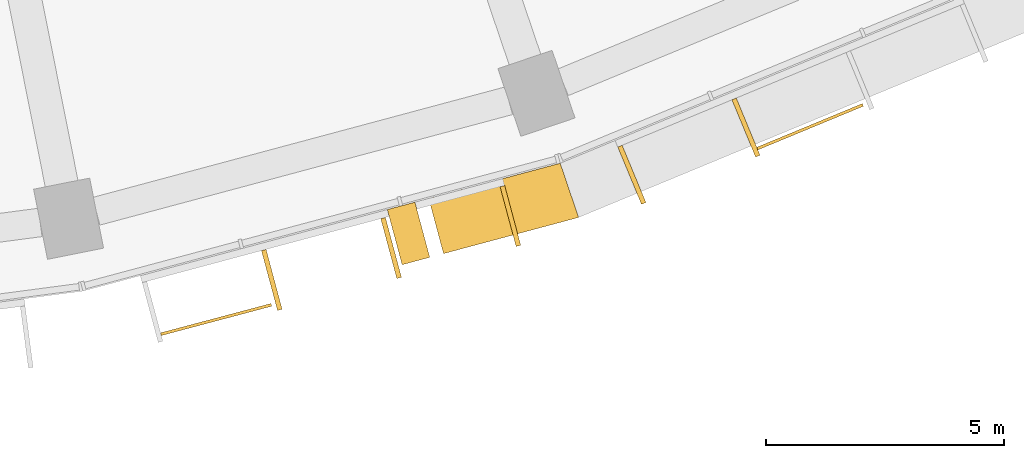
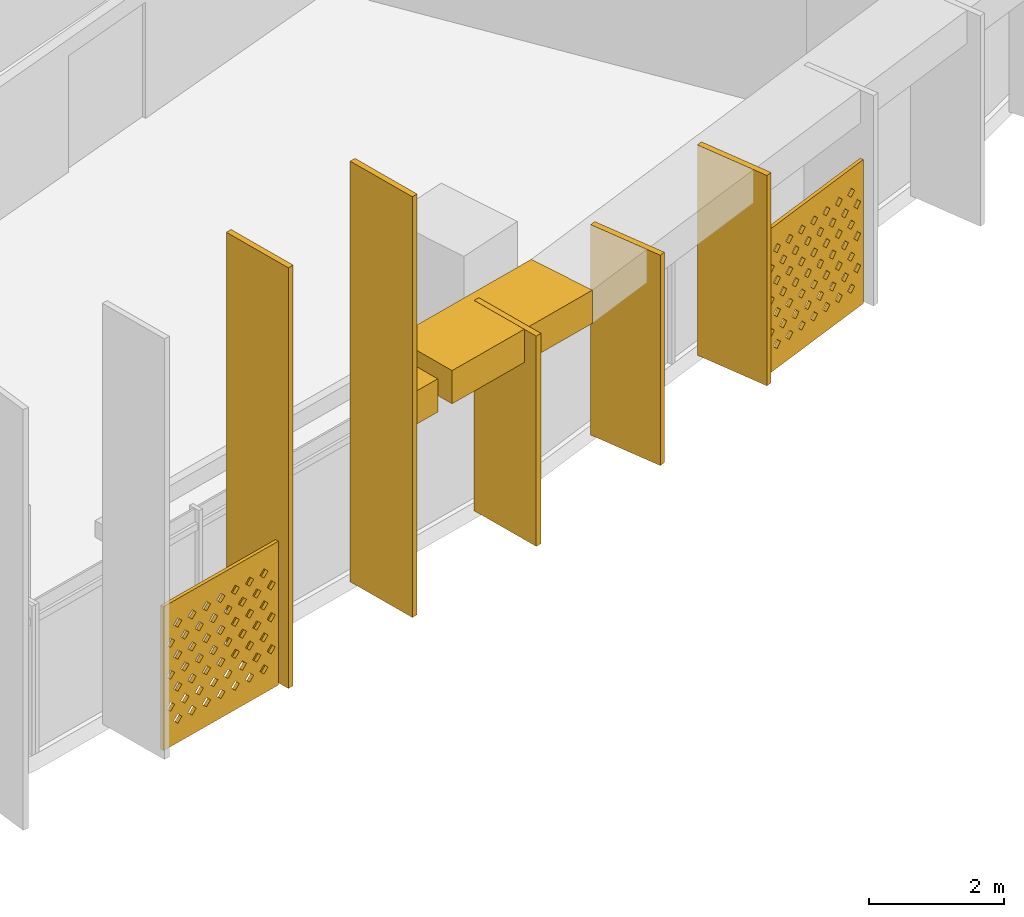
# One storey, part 27 of 29: 9 shading devices.
"""IFC4 building model written with IfcOpenShell, lengths in metres."""

from ifc_helpers import new_model, si_unit, direction, frame, origin, origin_2d, place, context, subcontext, project, spatial, polyline, rectangle, outline, extrude, material, material_profile, profile_set, type_object, element, save


model = new_model("IFC4")

# Units and contexts
model_context = context("Model", 3, precision=1e-05, world=origin(), true_north=direction((0.0, 1.0)))
body_context = subcontext(model_context, "Body", "Model", "MODEL_VIEW")
ifc_project = project(units=[si_unit("LENGTHUNIT", "METRE"), si_unit("AREAUNIT", "SQUARE_METRE"), si_unit("VOLUMEUNIT", "CUBIC_METRE"), si_unit("PLANEANGLEUNIT", "RADIAN"), si_unit("MASSUNIT", "GRAM", prefix="KILO")], contexts=[model_context])

# Site, building, storey
site_placement = place(None, origin())
site = spatial("IfcSite", under=ifc_project, at=site_placement, CompositionType="ELEMENT")
building_placement = place(site_placement, origin())
building = spatial("IfcBuilding", under=site, at=building_placement, Name="Qamariyya Broadcast Tower", CompositionType="ELEMENT")
storey_placement = place(building_placement, frame((0.0, 0.0, 132.89990234375)))
storey = spatial("IfcBuildingStorey", under=building, at=storey_placement, Name="L30", CompositionType="ELEMENT", Elevation=132.89990234375)

# Shading devices
ifc_material_1 = material(Name="Steel S355 powder coated deep red", Category="steel")
shading_device_type_1 = type_object("IfcShadingDeviceType", Name="Deep red frame, powder coated steel box section", PredefinedType="USERDEFINED", material=ifc_material_1)
shading_device_1_placement = place(storey_placement, frame((0.0, 0.0, 3.2001953125)))
element("IfcShadingDevice", 1, at=shading_device_1_placement, inside=storey, type_object=shading_device_type_1, Name="e-frm-B2-F3-posta-L30", ObjectType="FRAME", PredefinedType="USERDEFINED", context=body_context, shape_type="SweptSolid", body=[
    extrude(outline(polyline([(21.860595703125, -76.064208984375), (22.171142578125, -77.22314453125), (22.750732421875, -77.06787109375), (22.440185546875, -75.908935546875), (21.860595703125, -76.064208984375)])), origin(), (0.0, 0.0, 1.0), 0.599853515625),
])
shading_device_2_placement = place(storey_placement, frame((0.0, 0.0, 3.2001953125)))
element("IfcShadingDevice", 2, at=shading_device_2_placement, inside=storey, type_object=shading_device_type_1, Name="e-frm-B2-F3-bot0", ObjectType="FRAME", PredefinedType="USERDEFINED", context=body_context, shape_type="SweptSolid", body=[
    extrude(outline(polyline([(22.72998046875, -75.8310546875), (23.04052734375, -76.990234375), (25.876708984375, -76.230224609375), (25.490234375, -75.091552734375), (22.72998046875, -75.8310546875)])), origin(), (0.0, 0.0, 1.0), 0.599853515625),
])
ifc_material_2 = material(Name="Perforated glazed terracotta", Category="masonry")
ifc_material_profile_1 = material_profile(ifc_material_2, outline(polyline([(-1.199951171875, -1.300048828125), (1.199951171875, -1.300048828125), (1.199951171875, 1.300048828125), (-1.199951171875, 1.300048828125), (-1.199951171875, -1.300048828125)]), holes=[polyline([(-0.81494140625, -0.86669921875), (-0.89990234375, -0.78173828125), (-0.985107421875, -0.86669921875), (-0.89990234375, -0.95166015625), (-0.81494140625, -0.86669921875)]), polyline([(-0.514892578125, -0.86669921875), (-0.60009765625, -0.78173828125), (-0.68505859375, -0.86669921875), (-0.60009765625, -0.95166015625), (-0.514892578125, -0.86669921875)]), polyline([(-0.215087890625, -0.86669921875), (-0.300048828125, -0.78173828125), (-0.385009765625, -0.86669921875), (-0.300048828125, -0.95166015625), (-0.215087890625, -0.86669921875)]), polyline([(0.0849609375, -0.86669921875), (0.0, -0.78173828125), (-0.0849609375, -0.86669921875), (0.0, -0.95166015625), (0.0849609375, -0.86669921875)]), polyline([(0.385009765625, -0.86669921875), (0.300048828125, -0.78173828125), (0.215087890625, -0.86669921875), (0.300048828125, -0.95166015625), (0.385009765625, -0.86669921875)]), polyline([(0.68505859375, -0.86669921875), (0.60009765625, -0.78173828125), (0.514892578125, -0.86669921875), (0.60009765625, -0.95166015625), (0.68505859375, -0.86669921875)]), polyline([(0.985107421875, -0.86669921875), (0.89990234375, -0.78173828125), (0.81494140625, -0.86669921875), (0.89990234375, -0.95166015625), (0.985107421875, -0.86669921875)]), polyline([(-0.965087890625, -0.577880859375), (-1.050048828125, -0.49267578125), (-1.135009765625, -0.577880859375), (-1.050048828125, -0.662841796875), (-0.965087890625, -0.577880859375)]), polyline([(-0.6650390625, -0.577880859375), (-0.75, -0.49267578125), (-0.8349609375, -0.577880859375), (-0.75, -0.662841796875), (-0.6650390625, -0.577880859375)]), polyline([(-0.364990234375, -0.577880859375), (-0.449951171875, -0.49267578125), (-0.534912109375, -0.577880859375), (-0.449951171875, -0.662841796875), (-0.364990234375, -0.577880859375)]), polyline([(-0.06494140625, -0.577880859375), (-0.14990234375, -0.49267578125), (-0.235107421875, -0.577880859375), (-0.14990234375, -0.662841796875), (-0.06494140625, -0.577880859375)]), polyline([(0.235107421875, -0.577880859375), (0.14990234375, -0.49267578125), (0.06494140625, -0.577880859375), (0.14990234375, -0.662841796875), (0.235107421875, -0.577880859375)]), polyline([(0.534912109375, -0.577880859375), (0.449951171875, -0.49267578125), (0.364990234375, -0.577880859375), (0.449951171875, -0.662841796875), (0.534912109375, -0.577880859375)]), polyline([(0.8349609375, -0.577880859375), (0.75, -0.49267578125), (0.6650390625, -0.577880859375), (0.75, -0.662841796875), (0.8349609375, -0.577880859375)]), polyline([(1.135009765625, -0.577880859375), (1.050048828125, -0.49267578125), (0.965087890625, -0.577880859375), (1.050048828125, -0.662841796875), (1.135009765625, -0.577880859375)]), polyline([(-0.81494140625, -0.288818359375), (-0.89990234375, -0.203857421875), (-0.985107421875, -0.288818359375), (-0.89990234375, -0.373779296875), (-0.81494140625, -0.288818359375)]), polyline([(-0.514892578125, -0.288818359375), (-0.60009765625, -0.203857421875), (-0.68505859375, -0.288818359375), (-0.60009765625, -0.373779296875), (-0.514892578125, -0.288818359375)]), polyline([(-0.215087890625, -0.288818359375), (-0.300048828125, -0.203857421875), (-0.385009765625, -0.288818359375), (-0.300048828125, -0.373779296875), (-0.215087890625, -0.288818359375)]), polyline([(0.0849609375, -0.288818359375), (0.0, -0.203857421875), (-0.0849609375, -0.288818359375), (0.0, -0.373779296875), (0.0849609375, -0.288818359375)]), polyline([(0.385009765625, -0.288818359375), (0.300048828125, -0.203857421875), (0.215087890625, -0.288818359375), (0.300048828125, -0.373779296875), (0.385009765625, -0.288818359375)]), polyline([(0.68505859375, -0.288818359375), (0.60009765625, -0.203857421875), (0.514892578125, -0.288818359375), (0.60009765625, -0.373779296875), (0.68505859375, -0.288818359375)]), polyline([(0.985107421875, -0.288818359375), (0.89990234375, -0.203857421875), (0.81494140625, -0.288818359375), (0.89990234375, -0.373779296875), (0.985107421875, -0.288818359375)]), polyline([(-0.965087890625, 0.0), (-1.050048828125, 0.0849609375), (-1.135009765625, 0.0), (-1.050048828125, -0.0849609375), (-0.965087890625, 0.0)]), polyline([(-0.6650390625, 0.0), (-0.75, 0.0849609375), (-0.8349609375, 0.0), (-0.75, -0.0849609375), (-0.6650390625, 0.0)]), polyline([(-0.364990234375, 0.0), (-0.449951171875, 0.0849609375), (-0.534912109375, 0.0), (-0.449951171875, -0.0849609375), (-0.364990234375, 0.0)]), polyline([(-0.06494140625, 0.0), (-0.14990234375, 0.0849609375), (-0.235107421875, 0.0), (-0.14990234375, -0.0849609375), (-0.06494140625, 0.0)]), polyline([(0.235107421875, 0.0), (0.14990234375, 0.0849609375), (0.06494140625, 0.0), (0.14990234375, -0.0849609375), (0.235107421875, 0.0)]), polyline([(0.534912109375, 0.0), (0.449951171875, 0.0849609375), (0.364990234375, 0.0), (0.449951171875, -0.0849609375), (0.534912109375, 0.0)]), polyline([(0.8349609375, 0.0), (0.75, 0.0849609375), (0.6650390625, 0.0), (0.75, -0.0849609375), (0.8349609375, 0.0)]), polyline([(1.135009765625, 0.0), (1.050048828125, 0.0849609375), (0.965087890625, 0.0), (1.050048828125, -0.0849609375), (1.135009765625, 0.0)]), polyline([(-0.81494140625, 0.288818359375), (-0.89990234375, 0.373779296875), (-0.985107421875, 0.288818359375), (-0.89990234375, 0.203857421875), (-0.81494140625, 0.288818359375)]), polyline([(-0.514892578125, 0.288818359375), (-0.60009765625, 0.373779296875), (-0.68505859375, 0.288818359375), (-0.60009765625, 0.203857421875), (-0.514892578125, 0.288818359375)]), polyline([(-0.215087890625, 0.288818359375), (-0.300048828125, 0.373779296875), (-0.385009765625, 0.288818359375), (-0.300048828125, 0.203857421875), (-0.215087890625, 0.288818359375)]), polyline([(0.0849609375, 0.288818359375), (0.0, 0.373779296875), (-0.0849609375, 0.288818359375), (0.0, 0.203857421875), (0.0849609375, 0.288818359375)]), polyline([(0.385009765625, 0.288818359375), (0.300048828125, 0.373779296875), (0.215087890625, 0.288818359375), (0.300048828125, 0.203857421875), (0.385009765625, 0.288818359375)]), polyline([(0.68505859375, 0.288818359375), (0.60009765625, 0.373779296875), (0.514892578125, 0.288818359375), (0.60009765625, 0.203857421875), (0.68505859375, 0.288818359375)]), polyline([(0.985107421875, 0.288818359375), (0.89990234375, 0.373779296875), (0.81494140625, 0.288818359375), (0.89990234375, 0.203857421875), (0.985107421875, 0.288818359375)]), polyline([(-0.965087890625, 0.577880859375), (-1.050048828125, 0.662841796875), (-1.135009765625, 0.577880859375), (-1.050048828125, 0.49267578125), (-0.965087890625, 0.577880859375)]), polyline([(-0.6650390625, 0.577880859375), (-0.75, 0.662841796875), (-0.8349609375, 0.577880859375), (-0.75, 0.49267578125), (-0.6650390625, 0.577880859375)]), polyline([(-0.364990234375, 0.577880859375), (-0.449951171875, 0.662841796875), (-0.534912109375, 0.577880859375), (-0.449951171875, 0.49267578125), (-0.364990234375, 0.577880859375)]), polyline([(-0.06494140625, 0.577880859375), (-0.14990234375, 0.662841796875), (-0.235107421875, 0.577880859375), (-0.14990234375, 0.49267578125), (-0.06494140625, 0.577880859375)]), polyline([(0.235107421875, 0.577880859375), (0.14990234375, 0.662841796875), (0.06494140625, 0.577880859375), (0.14990234375, 0.49267578125), (0.235107421875, 0.577880859375)]), polyline([(0.534912109375, 0.577880859375), (0.449951171875, 0.662841796875), (0.364990234375, 0.577880859375), (0.449951171875, 0.49267578125), (0.534912109375, 0.577880859375)]), polyline([(0.8349609375, 0.577880859375), (0.75, 0.662841796875), (0.6650390625, 0.577880859375), (0.75, 0.49267578125), (0.8349609375, 0.577880859375)]), polyline([(1.135009765625, 0.577880859375), (1.050048828125, 0.662841796875), (0.965087890625, 0.577880859375), (1.050048828125, 0.49267578125), (1.135009765625, 0.577880859375)]), polyline([(-0.81494140625, 0.86669921875), (-0.89990234375, 0.95166015625), (-0.985107421875, 0.86669921875), (-0.89990234375, 0.78173828125), (-0.81494140625, 0.86669921875)]), polyline([(-0.514892578125, 0.86669921875), (-0.60009765625, 0.95166015625), (-0.68505859375, 0.86669921875), (-0.60009765625, 0.78173828125), (-0.514892578125, 0.86669921875)]), polyline([(-0.215087890625, 0.86669921875), (-0.300048828125, 0.95166015625), (-0.385009765625, 0.86669921875), (-0.300048828125, 0.78173828125), (-0.215087890625, 0.86669921875)]), polyline([(0.0849609375, 0.86669921875), (0.0, 0.95166015625), (-0.0849609375, 0.86669921875), (0.0, 0.78173828125), (0.0849609375, 0.86669921875)]), polyline([(0.385009765625, 0.86669921875), (0.300048828125, 0.95166015625), (0.215087890625, 0.86669921875), (0.300048828125, 0.78173828125), (0.385009765625, 0.86669921875)]), polyline([(0.68505859375, 0.86669921875), (0.60009765625, 0.95166015625), (0.514892578125, 0.86669921875), (0.60009765625, 0.78173828125), (0.68505859375, 0.86669921875)]), polyline([(0.985107421875, 0.86669921875), (0.89990234375, 0.95166015625), (0.81494140625, 0.86669921875), (0.89990234375, 0.78173828125), (0.985107421875, 0.86669921875)])]))
ifc_profile_set_1 = profile_set([ifc_material_profile_1], Name="Perforated glazed terracotta")
shading_device_type_2 = type_object("IfcShadingDeviceType", Name="Perforated terracotta screen 2400 x 2600", PredefinedType="USERDEFINED", material=ifc_profile_set_1)
shading_device_3_placement = place(storey_placement, frame((18.25927734375, -78.343994140625, 1.35009765625), z_axis=(0.256901156343, -0.966437683387, 0.0), x_axis=(0.966437683387, 0.256901156343, 0.0)))
element("IfcShadingDevice", 3, at=shading_device_3_placement, inside=storey, type_object=shading_device_type_2, Name="e-scr-L30-11-0", ObjectType="SCREEN", PredefinedType="USERDEFINED", context=body_context, shape_type="SweptSolid", body=[
    extrude(outline(polyline([(-1.199951171875, -1.300048828125), (1.199951171875, -1.300048828125), (1.199951171875, 1.300048828125), (-1.199951171875, 1.300048828125), (-1.199951171875, -1.300048828125)]), holes=[polyline([(-0.81494140625, -0.86669921875), (-0.89990234375, -0.78173828125), (-0.985107421875, -0.86669921875), (-0.89990234375, -0.95166015625), (-0.81494140625, -0.86669921875)]), polyline([(-0.514892578125, -0.86669921875), (-0.60009765625, -0.78173828125), (-0.68505859375, -0.86669921875), (-0.60009765625, -0.95166015625), (-0.514892578125, -0.86669921875)]), polyline([(-0.215087890625, -0.86669921875), (-0.300048828125, -0.78173828125), (-0.385009765625, -0.86669921875), (-0.300048828125, -0.95166015625), (-0.215087890625, -0.86669921875)]), polyline([(0.0849609375, -0.86669921875), (0.0, -0.78173828125), (-0.0849609375, -0.86669921875), (0.0, -0.95166015625), (0.0849609375, -0.86669921875)]), polyline([(0.385009765625, -0.86669921875), (0.300048828125, -0.78173828125), (0.215087890625, -0.86669921875), (0.300048828125, -0.95166015625), (0.385009765625, -0.86669921875)]), polyline([(0.68505859375, -0.86669921875), (0.60009765625, -0.78173828125), (0.514892578125, -0.86669921875), (0.60009765625, -0.95166015625), (0.68505859375, -0.86669921875)]), polyline([(0.985107421875, -0.86669921875), (0.89990234375, -0.78173828125), (0.81494140625, -0.86669921875), (0.89990234375, -0.95166015625), (0.985107421875, -0.86669921875)]), polyline([(-0.965087890625, -0.577880859375), (-1.050048828125, -0.49267578125), (-1.135009765625, -0.577880859375), (-1.050048828125, -0.662841796875), (-0.965087890625, -0.577880859375)]), polyline([(-0.6650390625, -0.577880859375), (-0.75, -0.49267578125), (-0.8349609375, -0.577880859375), (-0.75, -0.662841796875), (-0.6650390625, -0.577880859375)]), polyline([(-0.364990234375, -0.577880859375), (-0.449951171875, -0.49267578125), (-0.534912109375, -0.577880859375), (-0.449951171875, -0.662841796875), (-0.364990234375, -0.577880859375)]), polyline([(-0.06494140625, -0.577880859375), (-0.14990234375, -0.49267578125), (-0.235107421875, -0.577880859375), (-0.14990234375, -0.662841796875), (-0.06494140625, -0.577880859375)]), polyline([(0.235107421875, -0.577880859375), (0.14990234375, -0.49267578125), (0.06494140625, -0.577880859375), (0.14990234375, -0.662841796875), (0.235107421875, -0.577880859375)]), polyline([(0.534912109375, -0.577880859375), (0.449951171875, -0.49267578125), (0.364990234375, -0.577880859375), (0.449951171875, -0.662841796875), (0.534912109375, -0.577880859375)]), polyline([(0.8349609375, -0.577880859375), (0.75, -0.49267578125), (0.6650390625, -0.577880859375), (0.75, -0.662841796875), (0.8349609375, -0.577880859375)]), polyline([(1.135009765625, -0.577880859375), (1.050048828125, -0.49267578125), (0.965087890625, -0.577880859375), (1.050048828125, -0.662841796875), (1.135009765625, -0.577880859375)]), polyline([(-0.81494140625, -0.288818359375), (-0.89990234375, -0.203857421875), (-0.985107421875, -0.288818359375), (-0.89990234375, -0.373779296875), (-0.81494140625, -0.288818359375)]), polyline([(-0.514892578125, -0.288818359375), (-0.60009765625, -0.203857421875), (-0.68505859375, -0.288818359375), (-0.60009765625, -0.373779296875), (-0.514892578125, -0.288818359375)]), polyline([(-0.215087890625, -0.288818359375), (-0.300048828125, -0.203857421875), (-0.385009765625, -0.288818359375), (-0.300048828125, -0.373779296875), (-0.215087890625, -0.288818359375)]), polyline([(0.0849609375, -0.288818359375), (0.0, -0.203857421875), (-0.0849609375, -0.288818359375), (0.0, -0.373779296875), (0.0849609375, -0.288818359375)]), polyline([(0.385009765625, -0.288818359375), (0.300048828125, -0.203857421875), (0.215087890625, -0.288818359375), (0.300048828125, -0.373779296875), (0.385009765625, -0.288818359375)]), polyline([(0.68505859375, -0.288818359375), (0.60009765625, -0.203857421875), (0.514892578125, -0.288818359375), (0.60009765625, -0.373779296875), (0.68505859375, -0.288818359375)]), polyline([(0.985107421875, -0.288818359375), (0.89990234375, -0.203857421875), (0.81494140625, -0.288818359375), (0.89990234375, -0.373779296875), (0.985107421875, -0.288818359375)]), polyline([(-0.965087890625, 0.0), (-1.050048828125, 0.0849609375), (-1.135009765625, 0.0), (-1.050048828125, -0.0849609375), (-0.965087890625, 0.0)]), polyline([(-0.6650390625, 0.0), (-0.75, 0.0849609375), (-0.8349609375, 0.0), (-0.75, -0.0849609375), (-0.6650390625, 0.0)]), polyline([(-0.364990234375, 0.0), (-0.449951171875, 0.0849609375), (-0.534912109375, 0.0), (-0.449951171875, -0.0849609375), (-0.364990234375, 0.0)]), polyline([(-0.06494140625, 0.0), (-0.14990234375, 0.0849609375), (-0.235107421875, 0.0), (-0.14990234375, -0.0849609375), (-0.06494140625, 0.0)]), polyline([(0.235107421875, 0.0), (0.14990234375, 0.0849609375), (0.06494140625, 0.0), (0.14990234375, -0.0849609375), (0.235107421875, 0.0)]), polyline([(0.534912109375, 0.0), (0.449951171875, 0.0849609375), (0.364990234375, 0.0), (0.449951171875, -0.0849609375), (0.534912109375, 0.0)]), polyline([(0.8349609375, 0.0), (0.75, 0.0849609375), (0.6650390625, 0.0), (0.75, -0.0849609375), (0.8349609375, 0.0)]), polyline([(1.135009765625, 0.0), (1.050048828125, 0.0849609375), (0.965087890625, 0.0), (1.050048828125, -0.0849609375), (1.135009765625, 0.0)]), polyline([(-0.81494140625, 0.288818359375), (-0.89990234375, 0.373779296875), (-0.985107421875, 0.288818359375), (-0.89990234375, 0.203857421875), (-0.81494140625, 0.288818359375)]), polyline([(-0.514892578125, 0.288818359375), (-0.60009765625, 0.373779296875), (-0.68505859375, 0.288818359375), (-0.60009765625, 0.203857421875), (-0.514892578125, 0.288818359375)]), polyline([(-0.215087890625, 0.288818359375), (-0.300048828125, 0.373779296875), (-0.385009765625, 0.288818359375), (-0.300048828125, 0.203857421875), (-0.215087890625, 0.288818359375)]), polyline([(0.0849609375, 0.288818359375), (0.0, 0.373779296875), (-0.0849609375, 0.288818359375), (0.0, 0.203857421875), (0.0849609375, 0.288818359375)]), polyline([(0.385009765625, 0.288818359375), (0.300048828125, 0.373779296875), (0.215087890625, 0.288818359375), (0.300048828125, 0.203857421875), (0.385009765625, 0.288818359375)]), polyline([(0.68505859375, 0.288818359375), (0.60009765625, 0.373779296875), (0.514892578125, 0.288818359375), (0.60009765625, 0.203857421875), (0.68505859375, 0.288818359375)]), polyline([(0.985107421875, 0.288818359375), (0.89990234375, 0.373779296875), (0.81494140625, 0.288818359375), (0.89990234375, 0.203857421875), (0.985107421875, 0.288818359375)]), polyline([(-0.965087890625, 0.577880859375), (-1.050048828125, 0.662841796875), (-1.135009765625, 0.577880859375), (-1.050048828125, 0.49267578125), (-0.965087890625, 0.577880859375)]), polyline([(-0.6650390625, 0.577880859375), (-0.75, 0.662841796875), (-0.8349609375, 0.577880859375), (-0.75, 0.49267578125), (-0.6650390625, 0.577880859375)]), polyline([(-0.364990234375, 0.577880859375), (-0.449951171875, 0.662841796875), (-0.534912109375, 0.577880859375), (-0.449951171875, 0.49267578125), (-0.364990234375, 0.577880859375)]), polyline([(-0.06494140625, 0.577880859375), (-0.14990234375, 0.662841796875), (-0.235107421875, 0.577880859375), (-0.14990234375, 0.49267578125), (-0.06494140625, 0.577880859375)]), polyline([(0.235107421875, 0.577880859375), (0.14990234375, 0.662841796875), (0.06494140625, 0.577880859375), (0.14990234375, 0.49267578125), (0.235107421875, 0.577880859375)]), polyline([(0.534912109375, 0.577880859375), (0.449951171875, 0.662841796875), (0.364990234375, 0.577880859375), (0.449951171875, 0.49267578125), (0.534912109375, 0.577880859375)]), polyline([(0.8349609375, 0.577880859375), (0.75, 0.662841796875), (0.6650390625, 0.577880859375), (0.75, 0.49267578125), (0.8349609375, 0.577880859375)]), polyline([(1.135009765625, 0.577880859375), (1.050048828125, 0.662841796875), (0.965087890625, 0.577880859375), (1.050048828125, 0.49267578125), (1.135009765625, 0.577880859375)]), polyline([(-0.81494140625, 0.86669921875), (-0.89990234375, 0.95166015625), (-0.985107421875, 0.86669921875), (-0.89990234375, 0.78173828125), (-0.81494140625, 0.86669921875)]), polyline([(-0.514892578125, 0.86669921875), (-0.60009765625, 0.95166015625), (-0.68505859375, 0.86669921875), (-0.60009765625, 0.78173828125), (-0.514892578125, 0.86669921875)]), polyline([(-0.215087890625, 0.86669921875), (-0.300048828125, 0.95166015625), (-0.385009765625, 0.86669921875), (-0.300048828125, 0.78173828125), (-0.215087890625, 0.86669921875)]), polyline([(0.0849609375, 0.86669921875), (0.0, 0.95166015625), (-0.0849609375, 0.86669921875), (0.0, 0.78173828125), (0.0849609375, 0.86669921875)]), polyline([(0.385009765625, 0.86669921875), (0.300048828125, 0.95166015625), (0.215087890625, 0.86669921875), (0.300048828125, 0.78173828125), (0.385009765625, 0.86669921875)]), polyline([(0.68505859375, 0.86669921875), (0.60009765625, 0.95166015625), (0.514892578125, 0.86669921875), (0.60009765625, 0.78173828125), (0.68505859375, 0.86669921875)]), polyline([(0.985107421875, 0.86669921875), (0.89990234375, 0.95166015625), (0.81494140625, 0.86669921875), (0.89990234375, 0.78173828125), (0.985107421875, 0.86669921875)])]), origin(), (0.0, 0.0, 1.0), 0.059814453125),
])
shading_device_4_placement = place(storey_placement, frame((30.724853515625, -74.2978515625, 1.35009765625), z_axis=(0.382591441855, -0.923917630863, 0.0), x_axis=(0.923917630863, 0.382591441855, 0.0)))
element("IfcShadingDevice", 4, at=shading_device_4_placement, inside=storey, type_object=shading_device_type_2, Name="e-scr-L30-12-1", ObjectType="SCREEN", PredefinedType="USERDEFINED", context=body_context, shape_type="SweptSolid", body=[
    extrude(outline(polyline([(-1.199951171875, -1.300048828125), (1.199951171875, -1.300048828125), (1.199951171875, 1.300048828125), (-1.199951171875, 1.300048828125), (-1.199951171875, -1.300048828125)]), holes=[polyline([(-0.81494140625, -0.86669921875), (-0.89990234375, -0.78173828125), (-0.985107421875, -0.86669921875), (-0.89990234375, -0.95166015625), (-0.81494140625, -0.86669921875)]), polyline([(-0.514892578125, -0.86669921875), (-0.60009765625, -0.78173828125), (-0.68505859375, -0.86669921875), (-0.60009765625, -0.95166015625), (-0.514892578125, -0.86669921875)]), polyline([(-0.215087890625, -0.86669921875), (-0.300048828125, -0.78173828125), (-0.385009765625, -0.86669921875), (-0.300048828125, -0.95166015625), (-0.215087890625, -0.86669921875)]), polyline([(0.0849609375, -0.86669921875), (0.0, -0.78173828125), (-0.0849609375, -0.86669921875), (0.0, -0.95166015625), (0.0849609375, -0.86669921875)]), polyline([(0.385009765625, -0.86669921875), (0.300048828125, -0.78173828125), (0.215087890625, -0.86669921875), (0.300048828125, -0.95166015625), (0.385009765625, -0.86669921875)]), polyline([(0.68505859375, -0.86669921875), (0.60009765625, -0.78173828125), (0.514892578125, -0.86669921875), (0.60009765625, -0.95166015625), (0.68505859375, -0.86669921875)]), polyline([(0.985107421875, -0.86669921875), (0.89990234375, -0.78173828125), (0.81494140625, -0.86669921875), (0.89990234375, -0.95166015625), (0.985107421875, -0.86669921875)]), polyline([(-0.965087890625, -0.577880859375), (-1.050048828125, -0.49267578125), (-1.135009765625, -0.577880859375), (-1.050048828125, -0.662841796875), (-0.965087890625, -0.577880859375)]), polyline([(-0.6650390625, -0.577880859375), (-0.75, -0.49267578125), (-0.8349609375, -0.577880859375), (-0.75, -0.662841796875), (-0.6650390625, -0.577880859375)]), polyline([(-0.364990234375, -0.577880859375), (-0.449951171875, -0.49267578125), (-0.534912109375, -0.577880859375), (-0.449951171875, -0.662841796875), (-0.364990234375, -0.577880859375)]), polyline([(-0.06494140625, -0.577880859375), (-0.14990234375, -0.49267578125), (-0.235107421875, -0.577880859375), (-0.14990234375, -0.662841796875), (-0.06494140625, -0.577880859375)]), polyline([(0.235107421875, -0.577880859375), (0.14990234375, -0.49267578125), (0.06494140625, -0.577880859375), (0.14990234375, -0.662841796875), (0.235107421875, -0.577880859375)]), polyline([(0.534912109375, -0.577880859375), (0.449951171875, -0.49267578125), (0.364990234375, -0.577880859375), (0.449951171875, -0.662841796875), (0.534912109375, -0.577880859375)]), polyline([(0.8349609375, -0.577880859375), (0.75, -0.49267578125), (0.6650390625, -0.577880859375), (0.75, -0.662841796875), (0.8349609375, -0.577880859375)]), polyline([(1.135009765625, -0.577880859375), (1.050048828125, -0.49267578125), (0.965087890625, -0.577880859375), (1.050048828125, -0.662841796875), (1.135009765625, -0.577880859375)]), polyline([(-0.81494140625, -0.288818359375), (-0.89990234375, -0.203857421875), (-0.985107421875, -0.288818359375), (-0.89990234375, -0.373779296875), (-0.81494140625, -0.288818359375)]), polyline([(-0.514892578125, -0.288818359375), (-0.60009765625, -0.203857421875), (-0.68505859375, -0.288818359375), (-0.60009765625, -0.373779296875), (-0.514892578125, -0.288818359375)]), polyline([(-0.215087890625, -0.288818359375), (-0.300048828125, -0.203857421875), (-0.385009765625, -0.288818359375), (-0.300048828125, -0.373779296875), (-0.215087890625, -0.288818359375)]), polyline([(0.0849609375, -0.288818359375), (0.0, -0.203857421875), (-0.0849609375, -0.288818359375), (0.0, -0.373779296875), (0.0849609375, -0.288818359375)]), polyline([(0.385009765625, -0.288818359375), (0.300048828125, -0.203857421875), (0.215087890625, -0.288818359375), (0.300048828125, -0.373779296875), (0.385009765625, -0.288818359375)]), polyline([(0.68505859375, -0.288818359375), (0.60009765625, -0.203857421875), (0.514892578125, -0.288818359375), (0.60009765625, -0.373779296875), (0.68505859375, -0.288818359375)]), polyline([(0.985107421875, -0.288818359375), (0.89990234375, -0.203857421875), (0.81494140625, -0.288818359375), (0.89990234375, -0.373779296875), (0.985107421875, -0.288818359375)]), polyline([(-0.965087890625, 0.0), (-1.050048828125, 0.0849609375), (-1.135009765625, 0.0), (-1.050048828125, -0.0849609375), (-0.965087890625, 0.0)]), polyline([(-0.6650390625, 0.0), (-0.75, 0.0849609375), (-0.8349609375, 0.0), (-0.75, -0.0849609375), (-0.6650390625, 0.0)]), polyline([(-0.364990234375, 0.0), (-0.449951171875, 0.0849609375), (-0.534912109375, 0.0), (-0.449951171875, -0.0849609375), (-0.364990234375, 0.0)]), polyline([(-0.06494140625, 0.0), (-0.14990234375, 0.0849609375), (-0.235107421875, 0.0), (-0.14990234375, -0.0849609375), (-0.06494140625, 0.0)]), polyline([(0.235107421875, 0.0), (0.14990234375, 0.0849609375), (0.06494140625, 0.0), (0.14990234375, -0.0849609375), (0.235107421875, 0.0)]), polyline([(0.534912109375, 0.0), (0.449951171875, 0.0849609375), (0.364990234375, 0.0), (0.449951171875, -0.0849609375), (0.534912109375, 0.0)]), polyline([(0.8349609375, 0.0), (0.75, 0.0849609375), (0.6650390625, 0.0), (0.75, -0.0849609375), (0.8349609375, 0.0)]), polyline([(1.135009765625, 0.0), (1.050048828125, 0.0849609375), (0.965087890625, 0.0), (1.050048828125, -0.0849609375), (1.135009765625, 0.0)]), polyline([(-0.81494140625, 0.288818359375), (-0.89990234375, 0.373779296875), (-0.985107421875, 0.288818359375), (-0.89990234375, 0.203857421875), (-0.81494140625, 0.288818359375)]), polyline([(-0.514892578125, 0.288818359375), (-0.60009765625, 0.373779296875), (-0.68505859375, 0.288818359375), (-0.60009765625, 0.203857421875), (-0.514892578125, 0.288818359375)]), polyline([(-0.215087890625, 0.288818359375), (-0.300048828125, 0.373779296875), (-0.385009765625, 0.288818359375), (-0.300048828125, 0.203857421875), (-0.215087890625, 0.288818359375)]), polyline([(0.0849609375, 0.288818359375), (0.0, 0.373779296875), (-0.0849609375, 0.288818359375), (0.0, 0.203857421875), (0.0849609375, 0.288818359375)]), polyline([(0.385009765625, 0.288818359375), (0.300048828125, 0.373779296875), (0.215087890625, 0.288818359375), (0.300048828125, 0.203857421875), (0.385009765625, 0.288818359375)]), polyline([(0.68505859375, 0.288818359375), (0.60009765625, 0.373779296875), (0.514892578125, 0.288818359375), (0.60009765625, 0.203857421875), (0.68505859375, 0.288818359375)]), polyline([(0.985107421875, 0.288818359375), (0.89990234375, 0.373779296875), (0.81494140625, 0.288818359375), (0.89990234375, 0.203857421875), (0.985107421875, 0.288818359375)]), polyline([(-0.965087890625, 0.577880859375), (-1.050048828125, 0.662841796875), (-1.135009765625, 0.577880859375), (-1.050048828125, 0.49267578125), (-0.965087890625, 0.577880859375)]), polyline([(-0.6650390625, 0.577880859375), (-0.75, 0.662841796875), (-0.8349609375, 0.577880859375), (-0.75, 0.49267578125), (-0.6650390625, 0.577880859375)]), polyline([(-0.364990234375, 0.577880859375), (-0.449951171875, 0.662841796875), (-0.534912109375, 0.577880859375), (-0.449951171875, 0.49267578125), (-0.364990234375, 0.577880859375)]), polyline([(-0.06494140625, 0.577880859375), (-0.14990234375, 0.662841796875), (-0.235107421875, 0.577880859375), (-0.14990234375, 0.49267578125), (-0.06494140625, 0.577880859375)]), polyline([(0.235107421875, 0.577880859375), (0.14990234375, 0.662841796875), (0.06494140625, 0.577880859375), (0.14990234375, 0.49267578125), (0.235107421875, 0.577880859375)]), polyline([(0.534912109375, 0.577880859375), (0.449951171875, 0.662841796875), (0.364990234375, 0.577880859375), (0.449951171875, 0.49267578125), (0.534912109375, 0.577880859375)]), polyline([(0.8349609375, 0.577880859375), (0.75, 0.662841796875), (0.6650390625, 0.577880859375), (0.75, 0.49267578125), (0.8349609375, 0.577880859375)]), polyline([(1.135009765625, 0.577880859375), (1.050048828125, 0.662841796875), (0.965087890625, 0.577880859375), (1.050048828125, 0.49267578125), (1.135009765625, 0.577880859375)]), polyline([(-0.81494140625, 0.86669921875), (-0.89990234375, 0.95166015625), (-0.985107421875, 0.86669921875), (-0.89990234375, 0.78173828125), (-0.81494140625, 0.86669921875)]), polyline([(-0.514892578125, 0.86669921875), (-0.60009765625, 0.95166015625), (-0.68505859375, 0.86669921875), (-0.60009765625, 0.78173828125), (-0.514892578125, 0.86669921875)]), polyline([(-0.215087890625, 0.86669921875), (-0.300048828125, 0.95166015625), (-0.385009765625, 0.86669921875), (-0.300048828125, 0.78173828125), (-0.215087890625, 0.86669921875)]), polyline([(0.0849609375, 0.86669921875), (0.0, 0.95166015625), (-0.0849609375, 0.86669921875), (0.0, 0.78173828125), (0.0849609375, 0.86669921875)]), polyline([(0.385009765625, 0.86669921875), (0.300048828125, 0.95166015625), (0.215087890625, 0.86669921875), (0.300048828125, 0.78173828125), (0.385009765625, 0.86669921875)]), polyline([(0.68505859375, 0.86669921875), (0.60009765625, 0.95166015625), (0.514892578125, 0.86669921875), (0.60009765625, 0.78173828125), (0.68505859375, 0.86669921875)]), polyline([(0.985107421875, 0.86669921875), (0.89990234375, 0.95166015625), (0.81494140625, 0.86669921875), (0.89990234375, 0.78173828125), (0.985107421875, 0.86669921875)])]), origin(), (0.0, 0.0, 1.0), 0.06005859375),
])
ifc_material_3 = material(Name="Glazed terracotta", Category="masonry")
ifc_material_profile_2 = material_profile(ifc_material_3, rectangle(XDim=1.300048828125, YDim=0.10009765625, at=origin_2d()))
ifc_profile_set_2 = profile_set([ifc_material_profile_2], Name="Glazed terracotta")
shading_device_type_3 = type_object("IfcShadingDeviceType", Name="Terracotta fin 100 x 1300", PredefinedType="USERDEFINED", material=ifc_profile_set_2)
for number, where, z_axis, x_axis, name in (
    (5, (19.43505859375, -77.542236328125, 0.0), (0.0, 0.0, 1.0), (0.258819045103, -0.965925826289, 0.0), "e-fin-L30-11-1"),
    (6, (21.93994140625, -76.87109375, 0.0), (0.0, 0.0, 1.0), (0.258819045103, -0.965925826289, 0.0), "e-fin-L30-11-2"),
):
    element("IfcShadingDevice", number, at=place(storey_placement, frame(where, z_axis=z_axis, x_axis=x_axis)), inside=storey, type_object=shading_device_type_3, Name=name, ObjectType="FIN", PredefinedType="USERDEFINED", context=body_context, shape_type="SweptSolid", body=[
        extrude(rectangle(XDim=1.300048828125, YDim=0.10009765625, at=origin_2d()), origin(), (0.0, 0.0, 1.0), 7.60009765625),
    ])
for number, where, z_axis, x_axis, name in (
    (7, (24.44482421875, -76.199951171875, 0.0), (0.0, 0.0, 1.0), (0.258819045103, -0.965925826289, 0.0), "e-fin-L30-11-3"),
    (8, (26.994140625, -75.33447265625, 0.0), (0.0, 0.0, 1.0), (0.382683432365, -0.923879532511, 0.0), "e-fin-L30-12-0"),
    (9, (29.39013671875, -74.342041015625, 0.0), (0.0, 0.0, 1.0), (0.382683432365, -0.923879532511, 0.0), "e-fin-L30-12-1"),
):
    element("IfcShadingDevice", number, at=place(storey_placement, frame(where, z_axis=z_axis, x_axis=x_axis)), inside=storey, type_object=shading_device_type_3, Name=name, ObjectType="FIN", PredefinedType="USERDEFINED", context=body_context, shape_type="SweptSolid", body=[
        extrude(rectangle(XDim=1.300048828125, YDim=0.10009765625, at=origin_2d()), origin(), (0.0, 0.0, 1.0), 3.800048828125),
    ])

save(model, "model.ifc")
